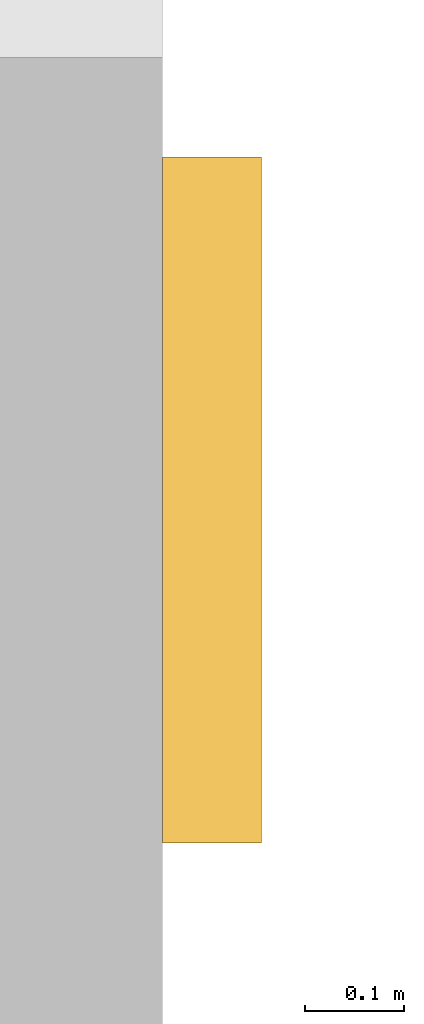
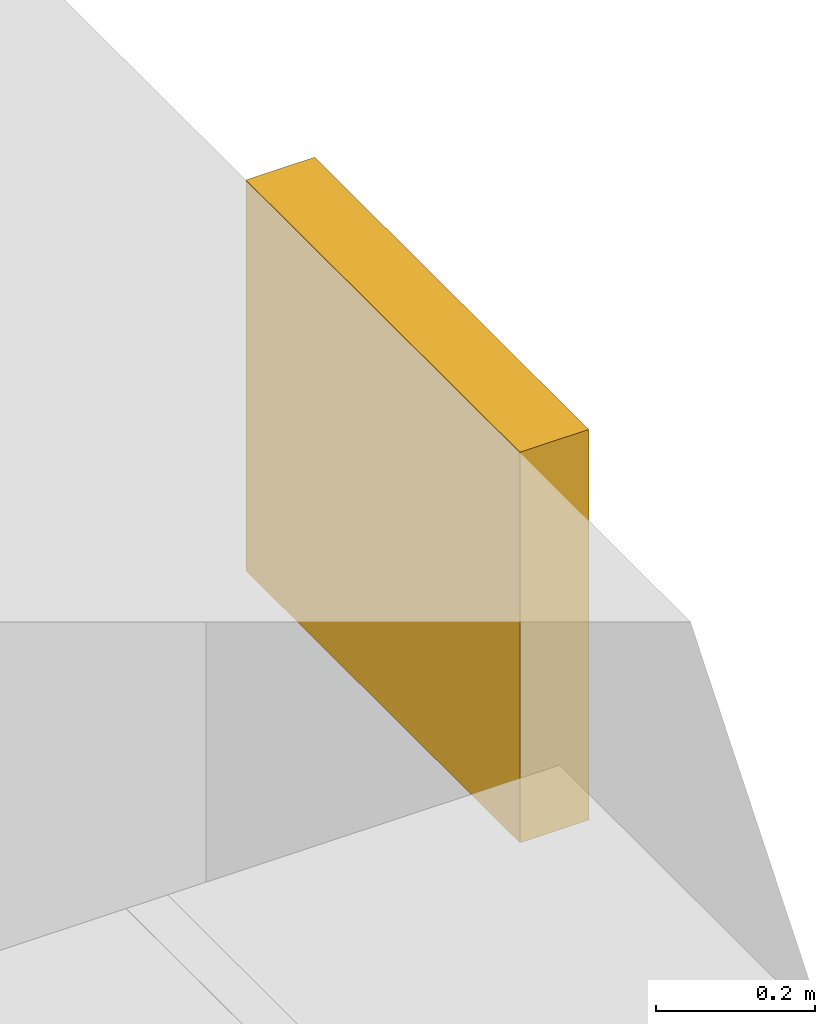
# One storey, part 19 of 22: 1 shading device.
"""IFC4 building model written with IfcOpenShell, lengths in metres."""

from ifc_helpers import new_model, si_unit, direction, frame, origin, origin_2d, place, context, subcontext, project, spatial, rectangle, extrude, material, layer, layer_set, type_object, element, save


model = new_model("IFC4")

# Units and contexts
model_context = context("Model", 3, precision=1e-05, world=origin(), true_north=direction((0.0, 1.0)))
body_context = subcontext(model_context, "Body", "Model", "MODEL_VIEW")
ifc_project = project(units=[si_unit("LENGTHUNIT", "METRE"), si_unit("AREAUNIT", "SQUARE_METRE"), si_unit("VOLUMEUNIT", "CUBIC_METRE"), si_unit("PLANEANGLEUNIT", "RADIAN"), si_unit("MASSUNIT", "GRAM", prefix="KILO")], contexts=[model_context])

# Site, building, storey
site_placement = place(None, origin())
site = spatial("IfcSite", under=ifc_project, at=site_placement, CompositionType="ELEMENT")
building_placement = place(site_placement, origin())
building = spatial("IfcBuilding", under=site, at=building_placement, Name="Vermilion Gate Residences", CompositionType="ELEMENT")
storey_placement = place(building_placement, frame((0.0, 0.0, 60.199951171875)))
storey = spatial("IfcBuildingStorey", under=building, at=storey_placement, Name="L14", CompositionType="ELEMENT", Elevation=60.199951171875)

# Shading device
ifc_material = material(Name="Extruded terracotta", Category="masonry")
ifc_layer = layer(ifc_material, 0.10009765625)
ifc_layer_set = layer_set([ifc_layer], Name="TERRACOTTA SPANDREL BAND 600 X 100")
shading_device_type = type_object("IfcShadingDeviceType", Name="TERRACOTTA SPANDREL BAND 600 X 100", PredefinedType="USERDEFINED", material=ifc_layer_set)
shading_device_placement = place(storey_placement, frame((25.25, 54.7548828125, 2.6201171875), z_axis=(0.0, 0.0, 1.0), x_axis=(0.0, 1.0, 0.0)))
element("IfcShadingDevice", 1, at=shading_device_placement, inside=storey, type_object=shading_device_type, Name="SPANDREL BAND", ObjectType="BAND", PredefinedType="USERDEFINED", context=body_context, shape_type="SweptSolid", body=[
    extrude(rectangle(XDim=0.68994140625, YDim=0.10009765625, at=origin_2d()), origin(), (0.0, 0.0, 1.0), 0.60009765625),
])

save(model, "model.ifc")
